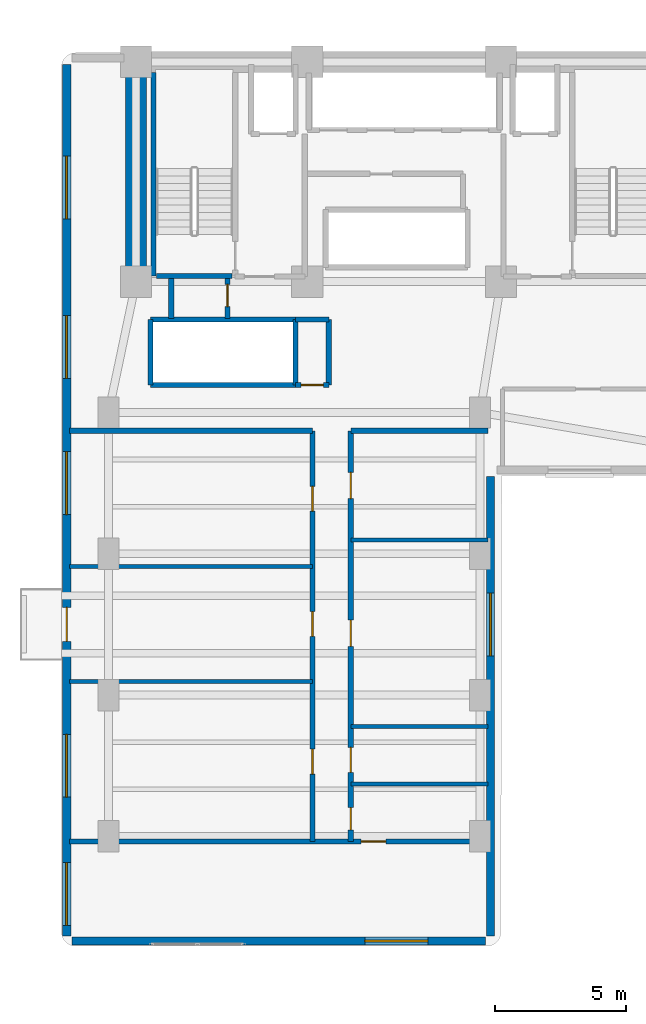
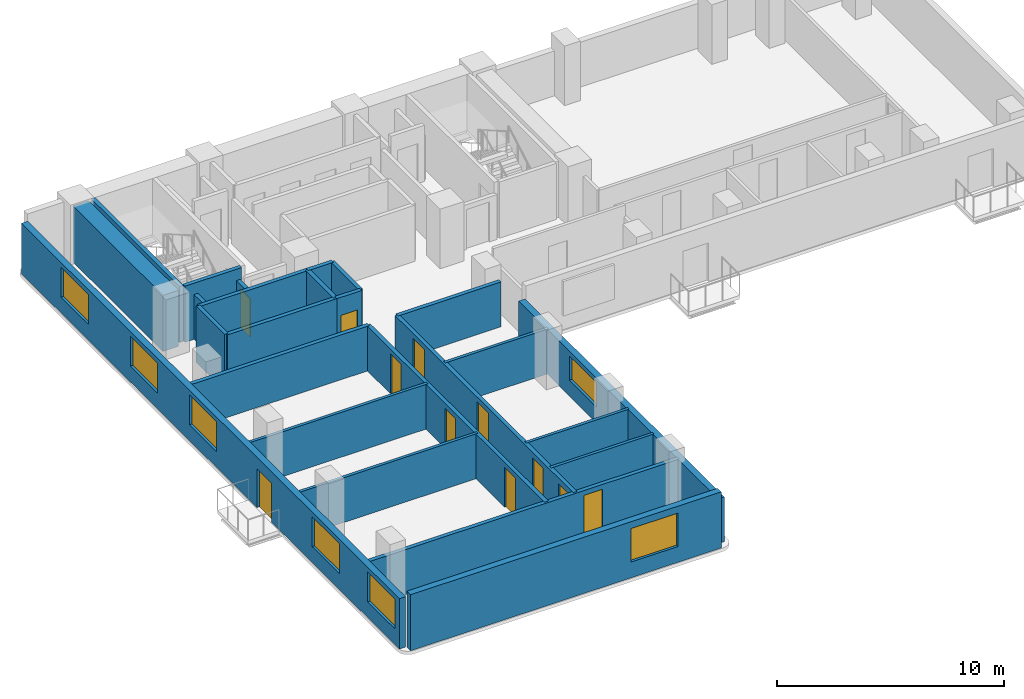
# One storey, part 8 of 14: 25 walls, 11 doors, 7 windows, 18 openings.
"""IFC4 building model written with IfcOpenShell, lengths in metres."""

from ifc_helpers import new_model, si_unit, direction, frame, frame_2d, origin, place, context, subcontext, project, spatial, rectangle, extrude, material, layer, layer_set, type_object, element, fill, save


model = new_model("IFC4")

# Units and contexts
model_context = context("Model", 3, precision=1e-05, world=origin(), true_north=direction((0.0, 1.0)))
body_context = subcontext(model_context, "Body", "Model", "MODEL_VIEW")
ifc_project = project(units=[si_unit("LENGTHUNIT", "METRE"), si_unit("AREAUNIT", "SQUARE_METRE"), si_unit("VOLUMEUNIT", "CUBIC_METRE"), si_unit("PLANEANGLEUNIT", "RADIAN"), si_unit("MASSUNIT", "GRAM", prefix="KILO")], contexts=[model_context])

# Site, building, storey
site_placement = place(None, origin())
site = spatial("IfcSite", under=ifc_project, at=site_placement, CompositionType="ELEMENT")
building_placement = place(site_placement, origin())
building = spatial("IfcBuilding", under=site, at=building_placement, Name="Kuzgunbayir Cultural Tower", CompositionType="ELEMENT")
storey_placement = place(building_placement, frame((0.0, 0.0, 69.199951171875)))
storey = spatial("IfcBuildingStorey", under=building, at=storey_placement, Name="L19", CompositionType="ELEMENT", Elevation=69.199951171875)

# Wall
ifc_material_1 = material(Name="Concrete C60/75", Category="concrete")
ifc_layer_1 = layer(ifc_material_1, 0.800048828125)
ifc_layer_set_1 = layer_set([ifc_layer_1], Name="Concrete C60/75")
wall_type_1 = type_object("IfcWallType", Name="WAL-CORE-800", PredefinedType="SHEAR", material=ifc_layer_set_1)
wall_1_placement = place(storey_placement, frame((6.449951171875, 33.800048828125, 0.0), z_axis=(0.0, 0.0, 1.0), x_axis=(0.0, 1.0, 0.0)))
element("IfcWall", 1, at=wall_1_placement, inside=storey, type_object=wall_type_1, Name="L19 T1 Core West Shear Wall", PredefinedType="SHEAR", context=body_context, shape_type="SweptSolid", body=[
    extrude(rectangle(XDim=7.949951171875, YDim=0.800048828125, at=frame_2d((3.97509765625, 0.0))), origin(), (0.0, 0.0, 1.0), 3.02001953125),
])

# Wall, opening, window
ifc_material_2 = material(Name="Travertine Buff Ashlar", Category="masonry")
ifc_layer_2 = layer(ifc_material_2, 0.320068359375)
ifc_layer_set_2 = layer_set([ifc_layer_2], Name="Travertine Buff Ashlar")
wall_type_2 = type_object("IfcWallType", Name="WAL-EXT-STONE-320", PredefinedType="STANDARD", material=ifc_layer_set_2)
wall_2_placement = place(storey_placement, frame((4.0, 8.60009765625, 0.0), z_axis=(0.0, 0.0, 1.0), x_axis=(1.0, 0.0, 0.0)))
wall_2 = element("IfcWall", 2, at=wall_2_placement, inside=storey, type_object=wall_type_2, Name="L19 Wing A South Limestone Wall", PredefinedType="STANDARD", context=body_context, shape_type="SweptSolid", body=[
    extrude(rectangle(XDim=15.800048828125, YDim=0.320068359375, at=frame_2d((7.89990234375, 0.0))), origin(), (0.0, 0.0, 1.0), 3.02001953125),
])
opening_1_placement = place(wall_2_placement, frame((11.199951171875, 0.0, 0.85009765625)))
opening_1 = element("IfcOpeningElement", 3, at=opening_1_placement, cuts=wall_2, Name="Opening WO-24", PredefinedType="OPENING", context=body_context, shape_type="SweptSolid", body=[
    extrude(rectangle(XDim=2.39990234375, YDim=1.800048828125, at=frame_2d((1.199951171875, 0.89990234375))), frame((0.0, 0.169921875, 0.0), z_axis=(0.0, -1.0, 0.0), x_axis=(1.0, 0.0, 0.0)), (0.0, 0.0, 1.0), 0.340087890625),
])
ifc_material_3 = material(Name="Solar-Control Triple Glazing", Category="glass")
window_type = type_object("IfcWindowType", Name="WIN-OFFICE-24", PartitioningType="SINGLE_PANEL", PredefinedType="WINDOW", material=ifc_material_3)
window_1_placement = place(opening_1_placement, origin())
window_1 = element("IfcWindow", 4, at=window_1_placement, inside=storey, type_object=window_type, Name="L19 WAS Facade Window 7", OverallHeight=1.800048828125, OverallWidth=2.39990234375, PartitioningType="SINGLE_PANEL", PredefinedType="WINDOW", context=body_context, shape_type="SweptSolid", body=[
    extrude(rectangle(XDim=2.39990234375, YDim=1.800048828125, at=frame_2d((1.199951171875, 0.89990234375))), frame((0.0, 0.030029296875, 0.0), z_axis=(0.0, -1.0, 0.0), x_axis=(1.0, 0.0, 0.0)), (0.0, 0.0, 1.0), 0.06005859375),
])
fill(opening_1, window_1)

# Wall, openings, door, windows
wall_3_placement = place(storey_placement, frame((3.800048828125, 42.10009765625, 0.0), z_axis=(0.0, 0.0, 1.0), x_axis=(0.0, -1.0, 0.0)))
wall_3 = element("IfcWall", 5, at=wall_3_placement, inside=storey, type_object=wall_type_2, Name="L19 Wing A West Limestone Wall", PredefinedType="STANDARD", context=body_context, shape_type="SweptSolid", body=[
    extrude(rectangle(XDim=33.300048828125, YDim=0.320068359375, at=frame_2d((16.64990234375, 0.0))), origin(), (0.0, 0.0, 1.0), 2.7099609375),
])
opening_2_placement = place(wall_3_placement, frame((20.75, 0.0, 0.0)))
opening_2 = element("IfcOpeningElement", 6, at=opening_2_placement, cuts=wall_3, Name="Opening BD-13", PredefinedType="OPENING", context=body_context, shape_type="SweptSolid", body=[
    extrude(rectangle(XDim=1.300048828125, YDim=2.080078125, at=frame_2d((0.64990234375, 1.0400390625))), frame((0.0, 0.169921875, 0.0), z_axis=(0.0, -1.0, 0.0), x_axis=(1.0, 0.0, 0.0)), (0.0, 0.0, 1.0), 0.340087890625),
])
opening_3_placement = place(wall_3_placement, frame((30.5, 0.0, 0.85009765625)))
opening_3 = element("IfcOpeningElement", 7, at=opening_3_placement, cuts=wall_3, Name="Opening WO-24", PredefinedType="OPENING", context=body_context, shape_type="SweptSolid", body=[
    extrude(rectangle(XDim=2.39990234375, YDim=1.610107421875, at=frame_2d((1.199951171875, 0.80517578125))), frame((0.0, 0.169921875, 0.0), z_axis=(0.0, -1.0, 0.0), x_axis=(1.0, 0.0, 0.0)), (0.0, 0.0, 1.0), 0.340087890625),
])
opening_4_placement = place(wall_3_placement, frame((25.60009765625, 0.0, 0.85009765625)))
opening_4 = element("IfcOpeningElement", 8, at=opening_4_placement, cuts=wall_3, Name="Opening WO-24", PredefinedType="OPENING", context=body_context, shape_type="SweptSolid", body=[
    extrude(rectangle(XDim=2.39990234375, YDim=1.610107421875, at=frame_2d((1.199951171875, 0.80517578125))), frame((0.0, 0.169921875, 0.0), z_axis=(0.0, -1.0, 0.0), x_axis=(1.0, 0.0, 0.0)), (0.0, 0.0, 1.0), 0.340087890625),
])
opening_5_placement = place(wall_3_placement, frame((14.800048828125, 0.0, 0.85009765625)))
opening_5 = element("IfcOpeningElement", 9, at=opening_5_placement, cuts=wall_3, Name="Opening WO-24", PredefinedType="OPENING", context=body_context, shape_type="SweptSolid", body=[
    extrude(rectangle(XDim=2.39990234375, YDim=1.610107421875, at=frame_2d((1.199951171875, 0.80517578125))), frame((0.0, 0.169921875, 0.0), z_axis=(0.0, -1.0, 0.0), x_axis=(1.0, 0.0, 0.0)), (0.0, 0.0, 1.0), 0.340087890625),
])
opening_6_placement = place(wall_3_placement, frame((9.60009765625, 0.0, 0.85009765625)))
opening_6 = element("IfcOpeningElement", 10, at=opening_6_placement, cuts=wall_3, Name="Opening WO-24", PredefinedType="OPENING", context=body_context, shape_type="SweptSolid", body=[
    extrude(rectangle(XDim=2.39990234375, YDim=1.610107421875, at=frame_2d((1.199951171875, 0.80517578125))), frame((0.0, 0.169921875, 0.0), z_axis=(0.0, -1.0, 0.0), x_axis=(1.0, 0.0, 0.0)), (0.0, 0.0, 1.0), 0.340087890625),
])
opening_7_placement = place(wall_3_placement, frame((3.5, 0.0, 0.85009765625)))
opening_7 = element("IfcOpeningElement", 11, at=opening_7_placement, cuts=wall_3, Name="Opening WO-24", PredefinedType="OPENING", context=body_context, shape_type="SweptSolid", body=[
    extrude(rectangle(XDim=2.39990234375, YDim=1.610107421875, at=frame_2d((1.199951171875, 0.80517578125))), frame((0.0, 0.169921875, 0.0), z_axis=(0.0, -1.0, 0.0), x_axis=(1.0, 0.0, 0.0)), (0.0, 0.0, 1.0), 0.340087890625),
])
ifc_material_4 = material(Name="Thermally Broken Glazed Aluminium", Category="aluminium")
door_type_1 = type_object("IfcDoorType", Name="DR-BALCONY-135", OperationType="SLIDING_TO_LEFT", PredefinedType="DOOR", material=ifc_material_4)
door_1_placement = place(opening_2_placement, origin())
door_1 = element("IfcDoor", 12, at=door_1_placement, inside=storey, type_object=door_type_1, Name="L19 West Balcony Sliding Door BAL-L19-WA2", OperationType="SLIDING_TO_LEFT", OverallHeight=2.080078125, OverallWidth=1.300048828125, PredefinedType="DOOR", context=body_context, shape_type="SweptSolid", body=[
    extrude(rectangle(XDim=1.300048828125, YDim=2.080078125, at=frame_2d((0.64990234375, 1.0400390625))), frame((0.0, 0.02490234375, 0.0), z_axis=(0.0, -1.0, 0.0), x_axis=(1.0, 0.0, 0.0)), (0.0, 0.0, 1.0), 0.050048828125),
])
fill(opening_2, door_1)
window_2_placement = place(opening_3_placement, origin())
window_2 = element("IfcWindow", 13, at=window_2_placement, inside=storey, type_object=window_type, Name="L19 WAW Facade Window 2", OverallHeight=1.610107421875, OverallWidth=2.39990234375, PartitioningType="SINGLE_PANEL", PredefinedType="WINDOW", context=body_context, shape_type="SweptSolid", body=[
    extrude(rectangle(XDim=2.39990234375, YDim=1.610107421875, at=frame_2d((1.199951171875, 0.80517578125))), frame((0.0, 0.030029296875, 0.0), z_axis=(0.0, -1.0, 0.0), x_axis=(1.0, 0.0, 0.0)), (0.0, 0.0, 1.0), 0.06005859375),
])
fill(opening_3, window_2)
window_3_placement = place(opening_4_placement, origin())
window_3 = element("IfcWindow", 14, at=window_3_placement, inside=storey, type_object=window_type, Name="L19 WAW Facade Window 3", OverallHeight=1.610107421875, OverallWidth=2.39990234375, PartitioningType="SINGLE_PANEL", PredefinedType="WINDOW", context=body_context, shape_type="SweptSolid", body=[
    extrude(rectangle(XDim=2.39990234375, YDim=1.610107421875, at=frame_2d((1.199951171875, 0.80517578125))), frame((0.0, 0.030029296875, 0.0), z_axis=(0.0, -1.0, 0.0), x_axis=(1.0, 0.0, 0.0)), (0.0, 0.0, 1.0), 0.06005859375),
])
fill(opening_4, window_3)
window_4_placement = place(opening_5_placement, origin())
window_4 = element("IfcWindow", 15, at=window_4_placement, inside=storey, type_object=window_type, Name="L19 WAW Facade Window 4", OverallHeight=1.610107421875, OverallWidth=2.39990234375, PartitioningType="SINGLE_PANEL", PredefinedType="WINDOW", context=body_context, shape_type="SweptSolid", body=[
    extrude(rectangle(XDim=2.39990234375, YDim=1.610107421875, at=frame_2d((1.199951171875, 0.80517578125))), frame((0.0, 0.030029296875, 0.0), z_axis=(0.0, -1.0, 0.0), x_axis=(1.0, 0.0, 0.0)), (0.0, 0.0, 1.0), 0.06005859375),
])
fill(opening_5, window_4)
window_5_placement = place(opening_6_placement, origin())
window_5 = element("IfcWindow", 16, at=window_5_placement, inside=storey, type_object=window_type, Name="L19 WAW Facade Window 5", OverallHeight=1.610107421875, OverallWidth=2.39990234375, PartitioningType="SINGLE_PANEL", PredefinedType="WINDOW", context=body_context, shape_type="SweptSolid", body=[
    extrude(rectangle(XDim=2.39990234375, YDim=1.610107421875, at=frame_2d((1.199951171875, 0.80517578125))), frame((0.0, 0.030029296875, 0.0), z_axis=(0.0, -1.0, 0.0), x_axis=(1.0, 0.0, 0.0)), (0.0, 0.0, 1.0), 0.06005859375),
])
fill(opening_6, window_5)
window_6_placement = place(opening_7_placement, origin())
window_6 = element("IfcWindow", 17, at=window_6_placement, inside=storey, type_object=window_type, Name="L19 WAW Facade Window 6", OverallHeight=1.610107421875, OverallWidth=2.39990234375, PartitioningType="SINGLE_PANEL", PredefinedType="WINDOW", context=body_context, shape_type="SweptSolid", body=[
    extrude(rectangle(XDim=2.39990234375, YDim=1.610107421875, at=frame_2d((1.199951171875, 0.80517578125))), frame((0.0, 0.030029296875, 0.0), z_axis=(0.0, -1.0, 0.0), x_axis=(1.0, 0.0, 0.0)), (0.0, 0.0, 1.0), 0.06005859375),
])
fill(opening_7, window_6)

# Wall, opening, window
wall_4_placement = place(storey_placement, frame((20.0, 8.800048828125, 0.0), z_axis=(0.0, 0.0, 1.0), x_axis=(0.0, 1.0, 0.0)))
wall_4 = element("IfcWall", 18, at=wall_4_placement, inside=storey, type_object=wall_type_2, Name="L19 Wing A East Limestone Wall", PredefinedType="STANDARD", context=body_context, shape_type="SweptSolid", body=[
    extrude(rectangle(XDim=17.550048828125, YDim=0.320068359375, at=frame_2d((8.77490234375, 0.0))), origin(), (0.0, 0.0, 1.0), 2.41015625),
])
opening_8_placement = place(wall_4_placement, frame((10.699951171875, 0.0, 0.85009765625)))
opening_8 = element("IfcOpeningElement", 19, at=opening_8_placement, cuts=wall_4, Name="Opening WO-24", PredefinedType="OPENING", context=body_context, shape_type="SweptSolid", body=[
    extrude(rectangle(XDim=2.39990234375, YDim=1.31005859375, at=frame_2d((1.199951171875, 0.655029296875))), frame((0.0, 0.169921875, 0.0), z_axis=(0.0, -1.0, 0.0), x_axis=(1.0, 0.0, 0.0)), (0.0, 0.0, 1.0), 0.340087890625),
])
window_7_placement = place(opening_8_placement, origin())
window_7 = element("IfcWindow", 20, at=window_7_placement, inside=storey, type_object=window_type, Name="L19 WAE Facade Window 1", OverallHeight=1.31005859375, OverallWidth=2.39990234375, PartitioningType="SINGLE_PANEL", PredefinedType="WINDOW", context=body_context, shape_type="SweptSolid", body=[
    extrude(rectangle(XDim=2.39990234375, YDim=1.31005859375, at=frame_2d((1.199951171875, 0.655029296875))), frame((0.0, 0.030029296875, 0.0), z_axis=(0.0, -1.0, 0.0), x_axis=(1.0, 0.0, 0.0)), (0.0, 0.0, 1.0), 0.06005859375),
])
fill(opening_8, window_7)

# Walls
ifc_material_5 = material(Name="Acoustic Double-Stud Drywall", Category="gypsum")
ifc_layer_3 = layer(ifc_material_5, 0.14990234375)
ifc_layer_set_3 = layer_set([ifc_layer_3], Name="Acoustic Double-Stud Drywall")
wall_type_3 = type_object("IfcWallType", Name="WAL-PART-ACOUSTIC-150", PredefinedType="PARTITIONING", material=ifc_layer_set_3)
for number, where, z_axis, x_axis, name in (
    (21, (3.89990234375, 18.52001953125, 0.0), (0.0, 0.0, 1.0), (1.0, 0.0, 0.0), "L19 West Suite Partition 1"),
    (22, (3.89990234375, 22.919921875, 0.0), (0.0, 0.0, 1.0), (1.0, 0.0, 0.0), "L19 West Suite Partition 2"),
):
    element("IfcWall", number, at=place(storey_placement, frame(where, z_axis=z_axis, x_axis=x_axis)), inside=storey, type_object=wall_type_3, Name=name, PredefinedType="PARTITIONING", context=body_context, shape_type="SweptSolid", body=[
        extrude(rectangle(XDim=9.300048828125, YDim=0.14990234375, at=frame_2d((4.64990234375, 0.0))), origin(), (0.0, 0.0, 1.0), 2.41015625),
    ])
wall_5_placement = place(storey_placement, frame((14.659912109375, 23.919921875, 0.0), z_axis=(0.0, 0.0, 1.0), x_axis=(1.0, 0.0, 0.0)))
element("IfcWall", 23, at=wall_5_placement, inside=storey, type_object=wall_type_3, Name="L19 East Studio Divider 1", PredefinedType="PARTITIONING", context=body_context, shape_type="SweptSolid", body=[
    extrude(rectangle(XDim=5.239990234375, YDim=0.14990234375, at=frame_2d((2.6201171875, 0.0))), origin(), (0.0, 0.0, 1.0), 2.41015625),
])

# Wall, opening, door
ifc_material_6 = material(Name="Aerated Concrete Blockwork", Category="masonry")
ifc_layer_4 = layer(ifc_material_6, 0.199951171875)
ifc_layer_set_4 = layer_set([ifc_layer_4], Name="Aerated Concrete Blockwork")
wall_type_4 = type_object("IfcWallType", Name="WAL-PART-FIRE-200", PredefinedType="PARTITIONING", material=ifc_layer_set_4)
wall_6_placement = place(storey_placement, frame((12.550048828125, 29.85009765625, 0.0), z_axis=(0.0, 0.0, 1.0), x_axis=(1.0, 0.0, 0.0)))
wall_6 = element("IfcWall", 24, at=wall_6_placement, inside=storey, type_object=wall_type_4, Name="L19 Center Core Switchgear South Wall", PredefinedType="PARTITIONING", context=body_context, shape_type="SweptSolid", body=[
    extrude(rectangle(XDim=1.27001953125, YDim=0.199951171875, at=frame_2d((0.635009765625, 0.0))), origin(), (0.0, 0.0, 1.0), 3.02001953125),
])
opening_9_placement = place(wall_6_placement, frame((0.2099609375, 0.0, 0.0)))
opening_9 = element("IfcOpeningElement", 25, at=opening_9_placement, cuts=wall_6, Name="Opening DR-RSR-60", PredefinedType="OPENING", context=body_context, shape_type="SweptSolid", body=[
    extrude(rectangle(XDim=0.85009765625, YDim=2.050048828125, at=frame_2d((0.425048828125, 1.02490234375))), frame((0.0, 0.10986328125, 0.0), z_axis=(0.0, -1.0, 0.0), x_axis=(1.0, 0.0, 0.0)), (0.0, 0.0, 1.0), 0.219970703125),
])
ifc_material_7 = material(Name="Steel Access Leaf", Category="steel")
door_type_2 = type_object("IfcDoorType", Name="DR-RISER-60", OperationType="NOTDEFINED", PredefinedType="DOOR", material=ifc_material_7)
door_2_placement = place(opening_9_placement, origin())
door_2 = element("IfcDoor", 26, at=door_2_placement, inside=storey, type_object=door_type_2, Name="L19 Electrical Switchgear Closet Door", OperationType="SINGLE_SWING_LEFT", OverallHeight=2.050048828125, OverallWidth=0.85009765625, PredefinedType="DOOR", context=body_context, shape_type="SweptSolid", body=[
    extrude(rectangle(XDim=0.85009765625, YDim=2.050048828125, at=frame_2d((0.425048828125, 1.02490234375))), frame((0.0, 0.02490234375, 0.0), z_axis=(0.0, -1.0, 0.0), x_axis=(1.0, 0.0, 0.0)), (0.0, 0.0, 1.0), 0.050048828125),
])
fill(opening_9, door_2)

# Walls
wall_7_placement = place(storey_placement, frame((13.820068359375, 29.85009765625, 0.0), z_axis=(0.0, 0.0, 1.0), x_axis=(0.0, 1.0, 0.0)))
element("IfcWall", 27, at=wall_7_placement, inside=storey, type_object=wall_type_4, Name="L19 Center Core Switchgear East Wall", PredefinedType="PARTITIONING", context=body_context, shape_type="SweptSolid", body=[
    extrude(rectangle(XDim=2.5, YDim=0.199951171875, at=frame_2d((1.25, 0.0))), origin(), (0.0, 0.0, 1.0), 3.02001953125),
])
wall_8_placement = place(storey_placement, frame((12.550048828125, 32.35009765625, 0.0), z_axis=(0.0, 0.0, 1.0), x_axis=(1.0, 0.0, 0.0)))
element("IfcWall", 28, at=wall_8_placement, inside=storey, type_object=wall_type_4, Name="L19 Center Core Switchgear North Wall", PredefinedType="PARTITIONING", context=body_context, shape_type="SweptSolid", body=[
    extrude(rectangle(XDim=1.27001953125, YDim=0.199951171875, at=frame_2d((0.635009765625, 0.0))), origin(), (0.0, 0.0, 1.0), 3.02001953125),
])
wall_9_placement = place(storey_placement, frame((7.800048828125, 32.39990234375, 0.0), z_axis=(0.0, 0.0, 1.0), x_axis=(0.0, 1.0, 0.0)))
element("IfcWall", 29, at=wall_9_placement, inside=storey, type_object=wall_type_4, Name="L19 West Core Electrical Closet West Wall", PredefinedType="PARTITIONING", context=body_context, shape_type="SweptSolid", body=[
    extrude(rectangle(XDim=1.52001953125, YDim=0.199951171875, at=frame_2d((0.760009765625, 0.0))), origin(), (0.0, 0.0, 1.0), 2.41015625),
])

# Wall, opening, door
wall_10_placement = place(storey_placement, frame((9.949951171875, 32.39990234375, 0.0), z_axis=(0.0, 0.0, 1.0), x_axis=(0.0, 1.0, 0.0)))
wall_10 = element("IfcWall", 30, at=wall_10_placement, inside=storey, type_object=wall_type_4, Name="L19 West Core Electrical Closet East Wall", PredefinedType="PARTITIONING", context=body_context, shape_type="SweptSolid", body=[
    extrude(rectangle(XDim=1.52001953125, YDim=0.199951171875, at=frame_2d((0.760009765625, 0.0))), origin(), (0.0, 0.0, 1.0), 2.41015625),
])
opening_10_placement = place(wall_10_placement, frame((0.449951171875, 0.0, 0.0)))
opening_10 = element("IfcOpeningElement", 31, at=opening_10_placement, cuts=wall_10, Name="Opening DR-RSR-60", PredefinedType="OPENING", context=body_context, shape_type="SweptSolid", body=[
    extrude(rectangle(XDim=0.85009765625, YDim=2.050048828125, at=frame_2d((0.425048828125, 1.02490234375))), frame((0.0, 0.10986328125, 0.0), z_axis=(0.0, -1.0, 0.0), x_axis=(1.0, 0.0, 0.0)), (0.0, 0.0, 1.0), 0.219970703125),
])
door_3_placement = place(opening_10_placement, origin())
door_3 = element("IfcDoor", 32, at=door_3_placement, inside=storey, type_object=door_type_2, Name="L19 West Core Switchgear Closet Door", OperationType="SINGLE_SWING_RIGHT", OverallHeight=2.050048828125, OverallWidth=0.85009765625, PredefinedType="DOOR", context=body_context, shape_type="SweptSolid", body=[
    extrude(rectangle(XDim=0.85009765625, YDim=2.050048828125, at=frame_2d((0.425048828125, 1.02490234375))), frame((0.0, 0.02490234375, 0.0), z_axis=(0.0, -1.0, 0.0), x_axis=(1.0, 0.0, 0.0)), (0.0, 0.0, 1.0), 0.050048828125),
])
fill(opening_10, door_3)

# Wall, openings, doors
wall_11_placement = place(storey_placement, frame((13.199951171875, 12.39990234375, 0.0), z_axis=(0.0, 0.0, 1.0), x_axis=(0.0, 1.0, 0.0)))
wall_11 = element("IfcWall", 33, at=wall_11_placement, inside=storey, type_object=wall_type_4, Name="L19 Wing A West Corridor Wall", PredefinedType="PARTITIONING", context=body_context, shape_type="SweptSolid", body=[
    extrude(rectangle(XDim=15.7001953125, YDim=0.199951171875, at=frame_2d((7.85009765625, 0.0))), origin(), (0.0, 0.0, 1.0), 2.41015625),
])
opening_11_placement = place(wall_11_placement, frame((2.580078125, 0.0, 0.0)))
opening_11 = element("IfcOpeningElement", 34, at=opening_11_placement, cuts=wall_11, Name="Opening DI-90", PredefinedType="OPENING", context=body_context, shape_type="SweptSolid", body=[
    extrude(rectangle(XDim=0.949951171875, YDim=2.14990234375, at=frame_2d((0.47509765625, 1.074951171875))), frame((0.0, 0.10986328125, 0.0), z_axis=(0.0, -1.0, 0.0), x_axis=(1.0, 0.0, 0.0)), (0.0, 0.0, 1.0), 0.219970703125),
])
opening_12_placement = place(wall_11_placement, frame((7.840087890625, 0.0, 0.0)))
opening_12 = element("IfcOpeningElement", 35, at=opening_12_placement, cuts=wall_11, Name="Opening DI-90", PredefinedType="OPENING", context=body_context, shape_type="SweptSolid", body=[
    extrude(rectangle(XDim=0.949951171875, YDim=2.14990234375, at=frame_2d((0.47509765625, 1.074951171875))), frame((0.0, 0.10986328125, 0.0), z_axis=(0.0, -1.0, 0.0), x_axis=(1.0, 0.0, 0.0)), (0.0, 0.0, 1.0), 0.219970703125),
])
opening_13_placement = place(wall_11_placement, frame((12.6298828125, 0.0, 0.0)))
opening_13 = element("IfcOpeningElement", 36, at=opening_13_placement, cuts=wall_11, Name="Opening DI-90", PredefinedType="OPENING", context=body_context, shape_type="SweptSolid", body=[
    extrude(rectangle(XDim=0.949951171875, YDim=2.14990234375, at=frame_2d((0.47509765625, 1.074951171875))), frame((0.0, 0.10986328125, 0.0), z_axis=(0.0, -1.0, 0.0), x_axis=(1.0, 0.0, 0.0)), (0.0, 0.0, 1.0), 0.219970703125),
])
ifc_material_8 = material(Name="Veneered Oak Single Leaf", Category="wood")
door_type_3 = type_object("IfcDoorType", Name="DR-INT-90", OperationType="NOTDEFINED", PredefinedType="DOOR", material=ifc_material_8)
door_4_placement = place(opening_11_placement, origin())
door_4 = element("IfcDoor", 37, at=door_4_placement, inside=storey, type_object=door_type_3, Name="L19 Seminar Boardroom W1 Door", OperationType="SINGLE_SWING_RIGHT", OverallHeight=2.14990234375, OverallWidth=0.949951171875, PredefinedType="DOOR", context=body_context, shape_type="SweptSolid", body=[
    extrude(rectangle(XDim=0.949951171875, YDim=2.14990234375, at=frame_2d((0.47509765625, 1.074951171875))), frame((0.0, 0.02490234375, 0.0), z_axis=(0.0, -1.0, 0.0), x_axis=(1.0, 0.0, 0.0)), (0.0, 0.0, 1.0), 0.050048828125),
])
fill(opening_11, door_4)
door_5_placement = place(opening_12_placement, origin())
door_5 = element("IfcDoor", 38, at=door_5_placement, inside=storey, type_object=door_type_3, Name="L19 Seminar Boardroom W2 Door", OperationType="SINGLE_SWING_LEFT", OverallHeight=2.14990234375, OverallWidth=0.949951171875, PredefinedType="DOOR", context=body_context, shape_type="SweptSolid", body=[
    extrude(rectangle(XDim=0.949951171875, YDim=2.14990234375, at=frame_2d((0.47509765625, 1.074951171875))), frame((0.0, 0.02490234375, 0.0), z_axis=(0.0, -1.0, 0.0), x_axis=(1.0, 0.0, 0.0)), (0.0, 0.0, 1.0), 0.050048828125),
])
fill(opening_12, door_5)
door_6_placement = place(opening_13_placement, origin())
door_6 = element("IfcDoor", 39, at=door_6_placement, inside=storey, type_object=door_type_3, Name="L19 Art Publication Salon W3 Door", OperationType="SINGLE_SWING_RIGHT", OverallHeight=2.14990234375, OverallWidth=0.949951171875, PredefinedType="DOOR", context=body_context, shape_type="SweptSolid", body=[
    extrude(rectangle(XDim=0.949951171875, YDim=2.14990234375, at=frame_2d((0.47509765625, 1.074951171875))), frame((0.0, 0.02490234375, 0.0), z_axis=(0.0, -1.0, 0.0), x_axis=(1.0, 0.0, 0.0)), (0.0, 0.0, 1.0), 0.050048828125),
])
fill(opening_13, door_6)

wall_12_placement = place(storey_placement, frame((14.659912109375, 12.39990234375, 0.0), z_axis=(0.0, 0.0, 1.0), x_axis=(0.0, 1.0, 0.0)))
wall_12 = element("IfcWall", 40, at=wall_12_placement, inside=storey, type_object=wall_type_4, Name="L19 Wing A East Corridor Wall", PredefinedType="PARTITIONING", context=body_context, shape_type="SweptSolid", body=[
    extrude(rectangle(XDim=15.7001953125, YDim=0.199951171875, at=frame_2d((7.85009765625, 0.0))), origin(), (0.0, 0.0, 1.0), 2.41015625),
])
opening_14_placement = place(wall_12_placement, frame((0.449951171875, 0.0, 0.0)))
opening_14 = element("IfcOpeningElement", 41, at=opening_14_placement, cuts=wall_12, Name="Opening DW-85", PredefinedType="OPENING", context=body_context, shape_type="SweptSolid", body=[
    extrude(rectangle(XDim=0.85009765625, YDim=2.10009765625, at=frame_2d((0.425048828125, 1.050048828125))), frame((0.0, 0.10986328125, 0.0), z_axis=(0.0, -1.0, 0.0), x_axis=(1.0, 0.0, 0.0)), (0.0, 0.0, 1.0), 0.219970703125),
])
opening_15_placement = place(wall_12_placement, frame((2.64990234375, 0.0, 0.0)))
opening_15 = element("IfcOpeningElement", 42, at=opening_15_placement, cuts=wall_12, Name="Opening DW-95", PredefinedType="OPENING", context=body_context, shape_type="SweptSolid", body=[
    extrude(rectangle(XDim=0.949951171875, YDim=2.10009765625, at=frame_2d((0.47509765625, 1.050048828125))), frame((0.0, 0.10986328125, 0.0), z_axis=(0.0, -1.0, 0.0), x_axis=(1.0, 0.0, 0.0)), (0.0, 0.0, 1.0), 0.219970703125),
])
opening_16_placement = place(wall_12_placement, frame((7.4599609375, 0.0, 0.0)))
opening_16 = element("IfcOpeningElement", 43, at=opening_16_placement, cuts=wall_12, Name="Opening DI-100", PredefinedType="OPENING", context=body_context, shape_type="SweptSolid", body=[
    extrude(rectangle(XDim=1.0, YDim=2.14990234375, at=frame_2d((0.5, 1.074951171875))), frame((0.0, 0.10986328125, 0.0), z_axis=(0.0, -1.0, 0.0), x_axis=(1.0, 0.0, 0.0)), (0.0, 0.0, 1.0), 0.219970703125),
])
opening_17_placement = place(wall_12_placement, frame((13.110107421875, 0.0, 0.0)))
opening_17 = element("IfcOpeningElement", 44, at=opening_17_placement, cuts=wall_12, Name="Opening DI-100", PredefinedType="OPENING", context=body_context, shape_type="SweptSolid", body=[
    extrude(rectangle(XDim=1.0, YDim=2.14990234375, at=frame_2d((0.5, 1.074951171875))), frame((0.0, 0.10986328125, 0.0), z_axis=(0.0, -1.0, 0.0), x_axis=(1.0, 0.0, 0.0)), (0.0, 0.0, 1.0), 0.219970703125),
])
door_type_4 = type_object("IfcDoorType", Name="DR-INT-100", OperationType="NOTDEFINED", PredefinedType="DOOR", material=ifc_material_8)
door_7_placement = place(opening_16_placement, origin())
door_7 = element("IfcDoor", 45, at=door_7_placement, inside=storey, type_object=door_type_4, Name="L19 East Wellness Consultation Studio 1 Door", OperationType="SINGLE_SWING_RIGHT", OverallHeight=2.14990234375, OverallWidth=1.0, PredefinedType="DOOR", context=body_context, shape_type="SweptSolid", body=[
    extrude(rectangle(XDim=1.0, YDim=2.14990234375, at=frame_2d((0.5, 1.074951171875))), frame((0.0, 0.02490234375, 0.0), z_axis=(0.0, -1.0, 0.0), x_axis=(1.0, 0.0, 0.0)), (0.0, 0.0, 1.0), 0.050048828125),
])
fill(opening_16, door_7)
door_8_placement = place(opening_17_placement, origin())
door_8 = element("IfcDoor", 46, at=door_8_placement, inside=storey, type_object=door_type_4, Name="L19 East Art Publication Salon 2 Door", OperationType="SINGLE_SWING_LEFT", OverallHeight=2.14990234375, OverallWidth=1.0, PredefinedType="DOOR", context=body_context, shape_type="SweptSolid", body=[
    extrude(rectangle(XDim=1.0, YDim=2.14990234375, at=frame_2d((0.5, 1.074951171875))), frame((0.0, 0.02490234375, 0.0), z_axis=(0.0, -1.0, 0.0), x_axis=(1.0, 0.0, 0.0)), (0.0, 0.0, 1.0), 0.050048828125),
])
fill(opening_17, door_8)
ifc_material_9 = material(Name="Laminate Moisture-Resistant Leaf", Category="wood")
door_type_5 = type_object("IfcDoorType", Name="DR-WET-85", OperationType="NOTDEFINED", PredefinedType="DOOR", material=ifc_material_9)
door_9_placement = place(opening_14_placement, origin())
door_9 = element("IfcDoor", 47, at=door_9_placement, inside=storey, type_object=door_type_5, Name="L19 Restroom Door", OperationType="SINGLE_SWING_RIGHT", OverallHeight=2.10009765625, OverallWidth=0.85009765625, PredefinedType="DOOR", context=body_context, shape_type="SweptSolid", body=[
    extrude(rectangle(XDim=0.85009765625, YDim=2.10009765625, at=frame_2d((0.425048828125, 1.050048828125))), frame((0.0, 0.02490234375, 0.0), z_axis=(0.0, -1.0, 0.0), x_axis=(1.0, 0.0, 0.0)), (0.0, 0.0, 1.0), 0.050048828125),
])
fill(opening_14, door_9)
door_type_6 = type_object("IfcDoorType", Name="DR-WET-95", OperationType="NOTDEFINED", PredefinedType="DOOR", material=ifc_material_9)
door_10_placement = place(opening_15_placement, origin())
door_10 = element("IfcDoor", 48, at=door_10_placement, inside=storey, type_object=door_type_6, Name="L19 Accessible WC Door", OperationType="SINGLE_SWING_LEFT", OverallHeight=2.10009765625, OverallWidth=0.949951171875, PredefinedType="DOOR", context=body_context, shape_type="SweptSolid", body=[
    extrude(rectangle(XDim=0.949951171875, YDim=2.10009765625, at=frame_2d((0.47509765625, 1.050048828125))), frame((0.0, 0.02490234375, 0.0), z_axis=(0.0, -1.0, 0.0), x_axis=(1.0, 0.0, 0.0)), (0.0, 0.0, 1.0), 0.050048828125),
])
fill(opening_15, door_10)

# Wall, opening, door
wall_13_placement = place(storey_placement, frame((3.89990234375, 12.39990234375, 0.0), z_axis=(0.0, 0.0, 1.0), x_axis=(1.0, 0.0, 0.0)))
wall_13 = element("IfcWall", 49, at=wall_13_placement, inside=storey, type_object=wall_type_4, Name="L19 South Cross Partition", PredefinedType="PARTITIONING", context=body_context, shape_type="SweptSolid", body=[
    extrude(rectangle(XDim=16.0, YDim=0.199951171875, at=frame_2d((8.0, 0.0))), origin(), (0.0, 0.0, 1.0), 2.41015625),
])
opening_18_placement = place(wall_13_placement, frame((11.14990234375, 0.0, 0.0)))
opening_18 = element("IfcOpeningElement", 50, at=opening_18_placement, cuts=wall_13, Name="Opening DI-90", PredefinedType="OPENING", context=body_context, shape_type="SweptSolid", body=[
    extrude(rectangle(XDim=0.949951171875, YDim=2.14990234375, at=frame_2d((0.47509765625, 1.074951171875))), frame((0.0, 0.10986328125, 0.0), z_axis=(0.0, -1.0, 0.0), x_axis=(1.0, 0.0, 0.0)), (0.0, 0.0, 1.0), 0.219970703125),
])
door_11_placement = place(opening_18_placement, origin())
door_11 = element("IfcDoor", 51, at=door_11_placement, inside=storey, type_object=door_type_3, Name="L19 South Suite S1 Door", OperationType="SINGLE_SWING_LEFT", OverallHeight=2.14990234375, OverallWidth=0.949951171875, PredefinedType="DOOR", context=body_context, shape_type="SweptSolid", body=[
    extrude(rectangle(XDim=0.949951171875, YDim=2.14990234375, at=frame_2d((0.47509765625, 1.074951171875))), frame((0.0, 0.02490234375, 0.0), z_axis=(0.0, -1.0, 0.0), x_axis=(1.0, 0.0, 0.0)), (0.0, 0.0, 1.0), 0.050048828125),
])
fill(opening_18, door_11)

# Walls
wall_14_placement = place(storey_placement, frame((3.89990234375, 28.10009765625, 0.0), z_axis=(0.0, 0.0, 1.0), x_axis=(1.0, 0.0, 0.0)))
element("IfcWall", 52, at=wall_14_placement, inside=storey, type_object=wall_type_4, Name="L19 North West Partition", PredefinedType="PARTITIONING", context=body_context, shape_type="SweptSolid", body=[
    extrude(rectangle(XDim=9.300048828125, YDim=0.199951171875, at=frame_2d((4.64990234375, 0.0))), origin(), (0.0, 0.0, 1.0), 2.41015625),
])
wall_15_placement = place(storey_placement, frame((14.659912109375, 28.10009765625, 0.0), z_axis=(0.0, 0.0, 1.0), x_axis=(1.0, 0.0, 0.0)))
element("IfcWall", 53, at=wall_15_placement, inside=storey, type_object=wall_type_4, Name="L19 North East Partition", PredefinedType="PARTITIONING", context=body_context, shape_type="SweptSolid", body=[
    extrude(rectangle(XDim=5.239990234375, YDim=0.199951171875, at=frame_2d((2.6201171875, 0.0))), origin(), (0.0, 0.0, 1.0), 2.41015625),
])
ifc_material_10 = material(Name="Moisture-Resistant Tile Partition", Category="gypsum")
ifc_layer_5 = layer(ifc_material_10, 0.14990234375)
ifc_layer_set_5 = layer_set([ifc_layer_5], Name="Moisture-Resistant Tile Partition")
wall_type_5 = type_object("IfcWallType", Name="WAL-PART-WET-150", PredefinedType="PARTITIONING", material=ifc_layer_set_5)
for number, where, z_axis, x_axis, name in (
    (54, (14.659912109375, 14.60009765625, 0.0), (0.0, 0.0, 1.0), (1.0, 0.0, 0.0), "L19 WC North Wall"),
    (55, (14.659912109375, 16.800048828125, 0.0), (0.0, 0.0, 1.0), (1.0, 0.0, 0.0), "L19 Accessible WC North Wall"),
):
    element("IfcWall", number, at=place(storey_placement, frame(where, z_axis=z_axis, x_axis=x_axis)), inside=storey, type_object=wall_type_5, Name=name, PredefinedType="PARTITIONING", context=body_context, shape_type="SweptSolid", body=[
        extrude(rectangle(XDim=5.239990234375, YDim=0.14990234375, at=frame_2d((2.6201171875, 0.0))), origin(), (0.0, 0.0, 1.0), 2.41015625),
    ])
ifc_material_11 = material(Name="Concrete C40/50", Category="concrete")
ifc_layer_6 = layer(ifc_material_11, 0.199951171875)
ifc_layer_set_6 = layer_set([ifc_layer_6], Name="Concrete C40/50")
wall_type_6 = type_object("IfcWallType", Name="WAL-SHAFT-200", PredefinedType="MOVABLE", material=ifc_layer_set_6)
for number, where, z_axis, x_axis, name in (
    (56, (7.0, 29.85009765625, 0.0), (0.0, 0.0, 1.0), (1.0, 0.0, 0.0), "L19 High-Rise Lift Shaft South Wall"),
    (57, (7.0, 32.35009765625, 0.0), (0.0, 0.0, 1.0), (1.0, 0.0, 0.0), "L19 High-Rise Lift Shaft North Wall"),
):
    element("IfcWall", number, at=place(storey_placement, frame(where, z_axis=z_axis, x_axis=x_axis)), inside=storey, type_object=wall_type_6, Name=name, PredefinedType="MOVABLE", context=body_context, shape_type="SweptSolid", body=[
        extrude(rectangle(XDim=5.550048828125, YDim=0.199951171875, at=frame_2d((2.77490234375, 0.0))), origin(), (0.0, 0.0, 1.0), 3.02001953125),
    ])
for number, where, z_axis, x_axis, name in (
    (58, (7.0, 29.85009765625, 0.0), (0.0, 0.0, 1.0), (0.0, 1.0, 0.0), "L19 High-Rise Lift Shaft West Wall"),
    (59, (12.550048828125, 29.85009765625, 0.0), (0.0, 0.0, 1.0), (0.0, 1.0, 0.0), "L19 High-Rise Lift Shaft East Wall"),
):
    element("IfcWall", number, at=place(storey_placement, frame(where, z_axis=z_axis, x_axis=x_axis)), inside=storey, type_object=wall_type_6, Name=name, PredefinedType="MOVABLE", context=body_context, shape_type="SweptSolid", body=[
        extrude(rectangle(XDim=2.5, YDim=0.199951171875, at=frame_2d((1.25, 0.0))), origin(), (0.0, 0.0, 1.0), 3.02001953125),
    ])
ifc_layer_7 = layer(ifc_material_11, 0.199951171875)
ifc_layer_set_7 = layer_set([ifc_layer_7], Name="Concrete C40/50")
wall_type_7 = type_object("IfcWallType", Name="WAL-STAIR-RC-200", PredefinedType="SHEAR", material=ifc_layer_set_7)
wall_16_placement = place(storey_placement, frame((7.1201171875, 34.02001953125, 0.0), z_axis=(0.0, 0.0, 1.0), x_axis=(0.0, 1.0, 0.0)))
element("IfcWall", 60, at=wall_16_placement, inside=storey, type_object=wall_type_7, Name="L19 Stair ST-1 West Structural Wall", PredefinedType="SHEAR", context=body_context, shape_type="SweptSolid", body=[
    extrude(rectangle(XDim=7.780029296875, YDim=0.199951171875, at=frame_2d((3.89013671875, 0.0))), origin(), (0.0, 0.0, 1.0), 3.02001953125),
])
wall_17_placement = place(storey_placement, frame((7.239990234375, 34.02001953125, 0.0), z_axis=(0.0, 0.0, 1.0), x_axis=(1.0, 0.0, 0.0)))
element("IfcWall", 61, at=wall_17_placement, inside=storey, type_object=wall_type_7, Name="L19 Stair ST-1 South Structural Wall", PredefinedType="SHEAR", context=body_context, shape_type="SweptSolid", body=[
    extrude(rectangle(XDim=2.880126953125, YDim=0.199951171875, at=frame_2d((1.43994140625, 0.0))), origin(), (0.0, 0.0, 1.0), 3.02001953125),
])

save(model, "model.ifc")
